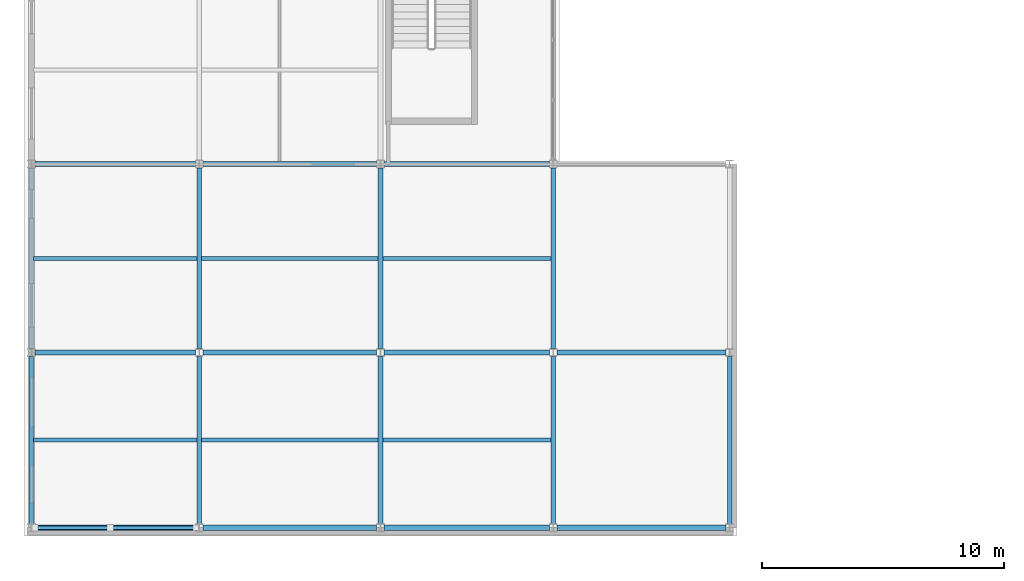
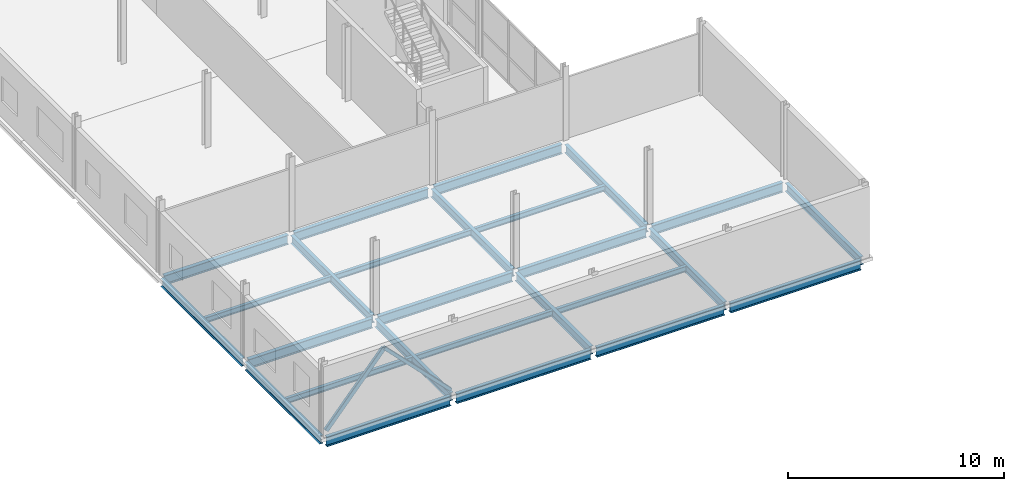
# One storey, part 6 of 60: 26 beams, 2 members.
"""IFC4 building model written with IfcOpenShell, lengths in metres."""

from ifc_helpers import new_model, si_unit, direction, frame, origin, origin_2d, place, context, subcontext, project, spatial, hollow_rectangle, i_section, extrude, material, material_profile, profile_set, type_object, element, save


model = new_model("IFC4")

# Units and contexts
model_context = context("Model", 3, precision=1e-05, world=origin(), true_north=direction((0.0, 1.0)))
body_context = subcontext(model_context, "Body", "Model", "MODEL_VIEW")
ifc_project = project(units=[si_unit("LENGTHUNIT", "METRE"), si_unit("AREAUNIT", "SQUARE_METRE"), si_unit("VOLUMEUNIT", "CUBIC_METRE"), si_unit("PLANEANGLEUNIT", "RADIAN"), si_unit("MASSUNIT", "GRAM", prefix="KILO")], contexts=[model_context])

# Site, building, storey
site_placement = place(None, origin())
site = spatial("IfcSite", under=ifc_project, at=site_placement, CompositionType="ELEMENT")
building_placement = place(site_placement, origin())
building = spatial("IfcBuilding", under=site, at=building_placement, Name="Quillay Park Conservatory", CompositionType="ELEMENT")
storey_placement = place(building_placement, frame((0.0, 0.0, 9.89990234375)))
storey = spatial("IfcBuildingStorey", under=building, at=storey_placement, Name="L02", CompositionType="ELEMENT", Elevation=9.89990234375)

# Beams
ifc_material_1 = material(Name="Steel ASTM A992 Grade 50", Category="steel")
ifc_material_profile_1 = material_profile(ifc_material_1, i_section(OverallWidth=0.166015625, OverallDepth=0.31298828125, WebThickness=0.006591796875, FlangeThickness=0.01123046875, FilletRadius=0.010009765625, at=origin_2d()), Name="W310x45")
ifc_profile_set_1 = profile_set([ifc_material_profile_1], Name="Steel ASTM A992 Grade 50")
beam_type_1 = type_object("IfcBeamType", Name="COMPOSITE FLOOR JOIST W310 X45", PredefinedType="JOIST", material=ifc_profile_set_1)
beam_1_placement = place(storey_placement, frame((0.64599609375, 4.175048828125, -0.351318359375), z_axis=(1.0, 0.0, 0.0), x_axis=(0.0, 1.0, 0.0)))
element("IfcBeam", 1, at=beam_1_placement, inside=storey, type_object=beam_type_1, Name="L02 beam BM-V3J-1380", PredefinedType="JOIST", context=body_context, shape_type="SweptSolid", body=[
    extrude(i_section(OverallWidth=0.166015625, OverallDepth=0.31298828125, WebThickness=0.006591796875, FlangeThickness=0.01123046875, FilletRadius=0.010009765625, at=origin_2d()), origin(), (0.0, 0.0, 1.0), 6.758056640625),
])
beam_2_placement = place(storey_placement, frame((7.595947265625, 4.175048828125, -0.351318359375), z_axis=(1.0, 0.0, 0.0), x_axis=(0.0, 1.0, 0.0)))
element("IfcBeam", 2, at=beam_2_placement, inside=storey, type_object=beam_type_1, Name="L02 beam BM-V3J-1381", PredefinedType="JOIST", context=body_context, shape_type="SweptSolid", body=[
    extrude(i_section(OverallWidth=0.166015625, OverallDepth=0.31298828125, WebThickness=0.006591796875, FlangeThickness=0.01123046875, FilletRadius=0.010009765625, at=origin_2d()), origin(), (0.0, 0.0, 1.0), 7.30810546875),
])
beam_3_placement = place(storey_placement, frame((15.095947265625, 4.175048828125, -0.351318359375), z_axis=(1.0, 0.0, 0.0), x_axis=(0.0, 1.0, 0.0)))
element("IfcBeam", 3, at=beam_3_placement, inside=storey, type_object=beam_type_1, Name="L02 beam BM-V3J-1382", PredefinedType="JOIST", context=body_context, shape_type="SweptSolid", body=[
    extrude(i_section(OverallWidth=0.166015625, OverallDepth=0.31298828125, WebThickness=0.006591796875, FlangeThickness=0.01123046875, FilletRadius=0.010009765625, at=origin_2d()), origin(), (0.0, 0.0, 1.0), 6.9580078125),
])
beam_4_placement = place(storey_placement, frame((0.64599609375, 11.699951171875, -0.351318359375), z_axis=(1.0, 0.0, 0.0), x_axis=(0.0, 1.0, 0.0)))
element("IfcBeam", 4, at=beam_4_placement, inside=storey, type_object=beam_type_1, Name="L02 beam BM-V3J-1383", PredefinedType="JOIST", context=body_context, shape_type="SweptSolid", body=[
    extrude(i_section(OverallWidth=0.166015625, OverallDepth=0.31298828125, WebThickness=0.006591796875, FlangeThickness=0.01123046875, FilletRadius=0.010009765625, at=origin_2d()), origin(), (0.0, 0.0, 1.0), 6.758056640625),
])
beam_5_placement = place(storey_placement, frame((7.595947265625, 11.699951171875, -0.351318359375), z_axis=(1.0, 0.0, 0.0), x_axis=(0.0, 1.0, 0.0)))
element("IfcBeam", 5, at=beam_5_placement, inside=storey, type_object=beam_type_1, Name="L02 beam BM-V3J-1384", PredefinedType="JOIST", context=body_context, shape_type="SweptSolid", body=[
    extrude(i_section(OverallWidth=0.166015625, OverallDepth=0.31298828125, WebThickness=0.006591796875, FlangeThickness=0.01123046875, FilletRadius=0.010009765625, at=origin_2d()), origin(), (0.0, 0.0, 1.0), 7.30810546875),
])
beam_6_placement = place(storey_placement, frame((15.095947265625, 11.699951171875, -0.351318359375), z_axis=(1.0, 0.0, 0.0), x_axis=(0.0, 1.0, 0.0)))
element("IfcBeam", 6, at=beam_6_placement, inside=storey, type_object=beam_type_1, Name="L02 beam BM-V3J-1385", PredefinedType="JOIST", context=body_context, shape_type="SweptSolid", body=[
    extrude(i_section(OverallWidth=0.166015625, OverallDepth=0.31298828125, WebThickness=0.006591796875, FlangeThickness=0.01123046875, FilletRadius=0.010009765625, at=origin_2d()), origin(), (0.0, 0.0, 1.0), 6.9580078125),
])
ifc_material_2 = material(Name="Steel ASTM A992 Grade 50", Category="steel")
ifc_material_profile_2 = material_profile(ifc_material_2, i_section(OverallWidth=0.19189453125, OverallDepth=0.462890625, WebThickness=0.010498046875, FlangeThickness=0.017578125, FilletRadius=0.012939453125, at=origin_2d()), Name="W460x89")
ifc_profile_set_2 = profile_set([ifc_material_profile_2], Name="Steel ASTM A992 Grade 50")
beam_type_2 = type_object("IfcBeamType", Name="PRIMARY FLOOR GIRDER W460 X89", PredefinedType="BEAM", material=ifc_profile_set_2)
beam_7_placement = place(storey_placement, frame((0.550048828125, 0.71142578125, -0.426513671875), z_axis=(0.0, 1.0, 0.0), x_axis=(-1.0, 0.0, 0.0)))
element("IfcBeam", 7, at=beam_7_placement, inside=storey, type_object=beam_type_2, Name="L02 beam BM-V3Y-1350", PredefinedType="BEAM", context=body_context, shape_type="SweptSolid", body=[
    extrude(i_section(OverallWidth=0.19189453125, OverallDepth=0.462890625, WebThickness=0.010498046875, FlangeThickness=0.017578125, FilletRadius=0.012939453125, at=origin_2d()), origin(), (0.0, 0.0, 1.0), 6.927001953125),
])
beam_8_placement = place(storey_placement, frame((0.550048828125, 7.96142578125, -0.426513671875), z_axis=(0.0, 1.0, 0.0), x_axis=(-1.0, 0.0, 0.0)))
element("IfcBeam", 8, at=beam_8_placement, inside=storey, type_object=beam_type_2, Name="L02 beam BM-V3Y-1351", PredefinedType="BEAM", context=body_context, shape_type="SweptSolid", body=[
    extrude(i_section(OverallWidth=0.19189453125, OverallDepth=0.462890625, WebThickness=0.010498046875, FlangeThickness=0.017578125, FilletRadius=0.012939453125, at=origin_2d()), origin(), (0.0, 0.0, 1.0), 7.47705078125),
])
beam_9_placement = place(storey_placement, frame((7.5, 0.71142578125, -0.426513671875), z_axis=(0.0, 1.0, 0.0), x_axis=(-1.0, 0.0, 0.0)))
element("IfcBeam", 9, at=beam_9_placement, inside=storey, type_object=beam_type_2, Name="L02 beam BM-V3Y-1357", PredefinedType="BEAM", context=body_context, shape_type="SweptSolid", body=[
    extrude(i_section(OverallWidth=0.19189453125, OverallDepth=0.462890625, WebThickness=0.010498046875, FlangeThickness=0.017578125, FilletRadius=0.012939453125, at=origin_2d()), origin(), (0.0, 0.0, 1.0), 6.927001953125),
])
beam_10_placement = place(storey_placement, frame((7.5, 7.96142578125, -0.426513671875), z_axis=(0.0, 1.0, 0.0), x_axis=(-1.0, 0.0, 0.0)))
element("IfcBeam", 10, at=beam_10_placement, inside=storey, type_object=beam_type_2, Name="L02 beam BM-V3Y-1358", PredefinedType="BEAM", context=body_context, shape_type="SweptSolid", body=[
    extrude(i_section(OverallWidth=0.19189453125, OverallDepth=0.462890625, WebThickness=0.010498046875, FlangeThickness=0.017578125, FilletRadius=0.012939453125, at=origin_2d()), origin(), (0.0, 0.0, 1.0), 7.47705078125),
])
beam_11_placement = place(storey_placement, frame((15.0, 0.71142578125, -0.426513671875), z_axis=(0.0, 1.0, 0.0), x_axis=(-1.0, 0.0, 0.0)))
element("IfcBeam", 11, at=beam_11_placement, inside=storey, type_object=beam_type_2, Name="L02 beam BM-V3Y-1364", PredefinedType="BEAM", context=body_context, shape_type="SweptSolid", body=[
    extrude(i_section(OverallWidth=0.19189453125, OverallDepth=0.462890625, WebThickness=0.010498046875, FlangeThickness=0.017578125, FilletRadius=0.012939453125, at=origin_2d()), origin(), (0.0, 0.0, 1.0), 6.927001953125),
])
beam_12_placement = place(storey_placement, frame((15.0, 7.96142578125, -0.426513671875), z_axis=(0.0, 1.0, 0.0), x_axis=(-1.0, 0.0, 0.0)))
element("IfcBeam", 12, at=beam_12_placement, inside=storey, type_object=beam_type_2, Name="L02 beam BM-V3Y-1365", PredefinedType="BEAM", context=body_context, shape_type="SweptSolid", body=[
    extrude(i_section(OverallWidth=0.19189453125, OverallDepth=0.462890625, WebThickness=0.010498046875, FlangeThickness=0.017578125, FilletRadius=0.012939453125, at=origin_2d()), origin(), (0.0, 0.0, 1.0), 7.47705078125),
])
beam_13_placement = place(storey_placement, frame((22.14990234375, 0.71142578125, -0.426513671875), z_axis=(0.0, 1.0, 0.0), x_axis=(-1.0, 0.0, 0.0)))
element("IfcBeam", 13, at=beam_13_placement, inside=storey, type_object=beam_type_2, Name="L02 beam BM-V3Y-1371", PredefinedType="BEAM", context=body_context, shape_type="SweptSolid", body=[
    extrude(i_section(OverallWidth=0.19189453125, OverallDepth=0.462890625, WebThickness=0.010498046875, FlangeThickness=0.017578125, FilletRadius=0.012939453125, at=origin_2d()), origin(), (0.0, 0.0, 1.0), 6.927001953125),
])
beam_14_placement = place(storey_placement, frame((22.14990234375, 7.96142578125, -0.426513671875), z_axis=(0.0, 1.0, 0.0), x_axis=(-1.0, 0.0, 0.0)))
element("IfcBeam", 14, at=beam_14_placement, inside=storey, type_object=beam_type_2, Name="L02 beam BM-V3Y-1372", PredefinedType="BEAM", context=body_context, shape_type="SweptSolid", body=[
    extrude(i_section(OverallWidth=0.19189453125, OverallDepth=0.462890625, WebThickness=0.010498046875, FlangeThickness=0.017578125, FilletRadius=0.012939453125, at=origin_2d()), origin(), (0.0, 0.0, 1.0), 7.47705078125),
])
beam_15_placement = place(storey_placement, frame((29.449951171875, 0.71142578125, -0.426513671875), z_axis=(0.0, 1.0, 0.0), x_axis=(-1.0, 0.0, 0.0)))
element("IfcBeam", 15, at=beam_15_placement, inside=storey, type_object=beam_type_2, Name="L02 beam BM-V3Y-1378", PredefinedType="BEAM", context=body_context, shape_type="SweptSolid", body=[
    extrude(i_section(OverallWidth=0.19189453125, OverallDepth=0.462890625, WebThickness=0.010498046875, FlangeThickness=0.017578125, FilletRadius=0.012939453125, at=origin_2d()), origin(), (0.0, 0.0, 1.0), 6.927001953125),
])
ifc_material_3 = material(Name="Steel ASTM A992 Grade 50", Category="steel")
ifc_material_profile_3 = material_profile(ifc_material_3, i_section(OverallWidth=0.2109375, OverallDepth=0.5390625, WebThickness=0.01171875, FlangeThickness=0.018798828125, FilletRadius=0.013916015625, at=origin_2d()), Name="W530x109")
ifc_profile_set_3 = profile_set([ifc_material_profile_3], Name="Steel ASTM A992 Grade 50")
beam_type_3 = type_object("IfcBeamType", Name="PRIMARY FLOOR GIRDER W530 X109", PredefinedType="BEAM", material=ifc_profile_set_3)
beam_16_placement = place(storey_placement, frame((0.70458984375, 0.550048828125, -0.46435546875), z_axis=(1.0, 0.0, 0.0), x_axis=(0.0, 1.0, 0.0)))
element("IfcBeam", 16, at=beam_16_placement, inside=storey, type_object=beam_type_3, Name="L02 beam BM-V3X-1325", PredefinedType="BEAM", context=body_context, shape_type="SweptSolid", body=[
    extrude(i_section(OverallWidth=0.2109375, OverallDepth=0.5390625, WebThickness=0.01171875, FlangeThickness=0.018798828125, FilletRadius=0.013916015625, at=origin_2d()), origin(), (0.0, 0.0, 1.0), 6.640869140625),
])
beam_17_placement = place(storey_placement, frame((7.654541015625, 0.550048828125, -0.46435546875), z_axis=(1.0, 0.0, 0.0), x_axis=(0.0, 1.0, 0.0)))
element("IfcBeam", 17, at=beam_17_placement, inside=storey, type_object=beam_type_3, Name="L02 beam BM-V3X-1326", PredefinedType="BEAM", context=body_context, shape_type="SweptSolid", body=[
    extrude(i_section(OverallWidth=0.2109375, OverallDepth=0.5390625, WebThickness=0.01171875, FlangeThickness=0.018798828125, FilletRadius=0.013916015625, at=origin_2d()), origin(), (0.0, 0.0, 1.0), 7.19091796875),
])
beam_18_placement = place(storey_placement, frame((15.154541015625, 0.550048828125, -0.46435546875), z_axis=(1.0, 0.0, 0.0), x_axis=(0.0, 1.0, 0.0)))
element("IfcBeam", 18, at=beam_18_placement, inside=storey, type_object=beam_type_3, Name="L02 beam BM-V3X-1327", PredefinedType="BEAM", context=body_context, shape_type="SweptSolid", body=[
    extrude(i_section(OverallWidth=0.2109375, OverallDepth=0.5390625, WebThickness=0.01171875, FlangeThickness=0.018798828125, FilletRadius=0.013916015625, at=origin_2d()), origin(), (0.0, 0.0, 1.0), 6.841064453125),
])
beam_19_placement = place(storey_placement, frame((22.304443359375, 0.550048828125, -0.46435546875), z_axis=(1.0, 0.0, 0.0), x_axis=(0.0, 1.0, 0.0)))
element("IfcBeam", 19, at=beam_19_placement, inside=storey, type_object=beam_type_3, Name="L02 beam BM-V3X-1328", PredefinedType="BEAM", context=body_context, shape_type="SweptSolid", body=[
    extrude(i_section(OverallWidth=0.2109375, OverallDepth=0.5390625, WebThickness=0.01171875, FlangeThickness=0.018798828125, FilletRadius=0.013916015625, at=origin_2d()), origin(), (0.0, 0.0, 1.0), 6.990966796875),
])
beam_20_placement = place(storey_placement, frame((0.70458984375, 7.800048828125, -0.46435546875), z_axis=(1.0, 0.0, 0.0), x_axis=(0.0, 1.0, 0.0)))
element("IfcBeam", 20, at=beam_20_placement, inside=storey, type_object=beam_type_3, Name="L02 beam BM-V3X-1329", PredefinedType="BEAM", context=body_context, shape_type="SweptSolid", body=[
    extrude(i_section(OverallWidth=0.2109375, OverallDepth=0.5390625, WebThickness=0.01171875, FlangeThickness=0.018798828125, FilletRadius=0.013916015625, at=origin_2d()), origin(), (0.0, 0.0, 1.0), 6.640869140625),
])
beam_21_placement = place(storey_placement, frame((7.654541015625, 7.800048828125, -0.46435546875), z_axis=(1.0, 0.0, 0.0), x_axis=(0.0, 1.0, 0.0)))
element("IfcBeam", 21, at=beam_21_placement, inside=storey, type_object=beam_type_3, Name="L02 beam BM-V3X-1330", PredefinedType="BEAM", context=body_context, shape_type="SweptSolid", body=[
    extrude(i_section(OverallWidth=0.2109375, OverallDepth=0.5390625, WebThickness=0.01171875, FlangeThickness=0.018798828125, FilletRadius=0.013916015625, at=origin_2d()), origin(), (0.0, 0.0, 1.0), 7.19091796875),
])
beam_22_placement = place(storey_placement, frame((15.154541015625, 7.800048828125, -0.46435546875), z_axis=(1.0, 0.0, 0.0), x_axis=(0.0, 1.0, 0.0)))
element("IfcBeam", 22, at=beam_22_placement, inside=storey, type_object=beam_type_3, Name="L02 beam BM-V3X-1331", PredefinedType="BEAM", context=body_context, shape_type="SweptSolid", body=[
    extrude(i_section(OverallWidth=0.2109375, OverallDepth=0.5390625, WebThickness=0.01171875, FlangeThickness=0.018798828125, FilletRadius=0.013916015625, at=origin_2d()), origin(), (0.0, 0.0, 1.0), 6.841064453125),
])
beam_23_placement = place(storey_placement, frame((22.304443359375, 7.800048828125, -0.46435546875), z_axis=(1.0, 0.0, 0.0), x_axis=(0.0, 1.0, 0.0)))
element("IfcBeam", 23, at=beam_23_placement, inside=storey, type_object=beam_type_3, Name="L02 beam BM-V3X-1332", PredefinedType="BEAM", context=body_context, shape_type="SweptSolid", body=[
    extrude(i_section(OverallWidth=0.2109375, OverallDepth=0.5390625, WebThickness=0.01171875, FlangeThickness=0.018798828125, FilletRadius=0.013916015625, at=origin_2d()), origin(), (0.0, 0.0, 1.0), 6.990966796875),
])
beam_24_placement = place(storey_placement, frame((0.70458984375, 15.60009765625, -0.46435546875), z_axis=(1.0, 0.0, 0.0), x_axis=(0.0, 1.0, 0.0)))
element("IfcBeam", 24, at=beam_24_placement, inside=storey, type_object=beam_type_3, Name="L02 beam BM-V3X-1333", PredefinedType="BEAM", context=body_context, shape_type="SweptSolid", body=[
    extrude(i_section(OverallWidth=0.2109375, OverallDepth=0.5390625, WebThickness=0.01171875, FlangeThickness=0.018798828125, FilletRadius=0.013916015625, at=origin_2d()), origin(), (0.0, 0.0, 1.0), 6.640869140625),
])
beam_25_placement = place(storey_placement, frame((7.654541015625, 15.60009765625, -0.46435546875), z_axis=(1.0, 0.0, 0.0), x_axis=(0.0, 1.0, 0.0)))
element("IfcBeam", 25, at=beam_25_placement, inside=storey, type_object=beam_type_3, Name="L02 beam BM-V3X-1334", PredefinedType="BEAM", context=body_context, shape_type="SweptSolid", body=[
    extrude(i_section(OverallWidth=0.2109375, OverallDepth=0.5390625, WebThickness=0.01171875, FlangeThickness=0.018798828125, FilletRadius=0.013916015625, at=origin_2d()), origin(), (0.0, 0.0, 1.0), 7.19091796875),
])
beam_26_placement = place(storey_placement, frame((15.154541015625, 15.60009765625, -0.46435546875), z_axis=(1.0, 0.0, 0.0), x_axis=(0.0, 1.0, 0.0)))
element("IfcBeam", 26, at=beam_26_placement, inside=storey, type_object=beam_type_3, Name="L02 beam BM-V3X-1335", PredefinedType="BEAM", context=body_context, shape_type="SweptSolid", body=[
    extrude(i_section(OverallWidth=0.2109375, OverallDepth=0.5390625, WebThickness=0.01171875, FlangeThickness=0.018798828125, FilletRadius=0.013916015625, at=origin_2d()), origin(), (0.0, 0.0, 1.0), 6.841064453125),
])

# Members
ifc_material_4 = material(Name="Steel S355J2H", Category="steel")
ifc_material_profile_4 = material_profile(ifc_material_4, hollow_rectangle(XDim=0.179931640625, YDim=0.179931640625, WallThickness=0.010009765625, InnerFilletRadius=0.010009765625, OuterFilletRadius=0.02001953125, at=origin_2d()), Name="RHS180x180x10")
ifc_profile_set_4 = profile_set([ifc_material_profile_4], Name="Steel S355J2H")
member_type_1 = type_object("IfcMemberType", Name="SEISMIC FRAME BRACE RHS180", PredefinedType="BRACE", material=ifc_profile_set_4)
member_1_placement = place(storey_placement, frame((7.35009765625, 0.550048828125, 0.150146484375), z_axis=(-0.702164191823, 0.0, 0.712015061443), x_axis=(0.0, -1.0, 0.0)))
element("IfcMember", 27, at=member_1_placement, inside=storey, type_object=member_type_1, Name="Gridshell member BR-V3-L02-B", PredefinedType="BRACE", context=body_context, shape_type="SweptSolid", body=[
    extrude(hollow_rectangle(XDim=0.179931640625, YDim=0.179931640625, WallThickness=0.010009765625, InnerFilletRadius=0.010009765625, OuterFilletRadius=0.02001953125, at=origin_2d()), origin(), (0.0, 0.0, 1.0), 5.055908203125),
])
ifc_material_5 = material(Name="Steel S355J2H", Category="steel")
ifc_material_profile_5 = material_profile(ifc_material_5, hollow_rectangle(XDim=0.14990234375, YDim=0.25, WallThickness=0.010009765625, InnerFilletRadius=0.010009765625, OuterFilletRadius=0.02001953125, at=origin_2d()), Name="RHS250x150x10")
ifc_profile_set_5 = profile_set([ifc_material_profile_5], Name="Steel S355J2H")
member_type_2 = type_object("IfcMemberType", Name="SEISMIC FRAME BRACE RHS250", PredefinedType="BRACE", material=ifc_profile_set_5)
member_2_placement = place(storey_placement, frame((0.699951171875, 0.550048828125, 0.150146484375), z_axis=(0.652550184708, 0.0, 0.757745509019), x_axis=(0.0, 1.0, 0.0)))
element("IfcMember", 28, at=member_2_placement, inside=storey, type_object=member_type_2, Name="Gridshell member BR-V3-L02-A", PredefinedType="BRACE", context=body_context, shape_type="SweptSolid", body=[
    extrude(hollow_rectangle(XDim=0.14990234375, YDim=0.25, WallThickness=0.010009765625, InnerFilletRadius=0.010009765625, OuterFilletRadius=0.02001953125, at=origin_2d()), origin(), (0.0, 0.0, 1.0), 4.750732421875),
])

save(model, "model.ifc")
